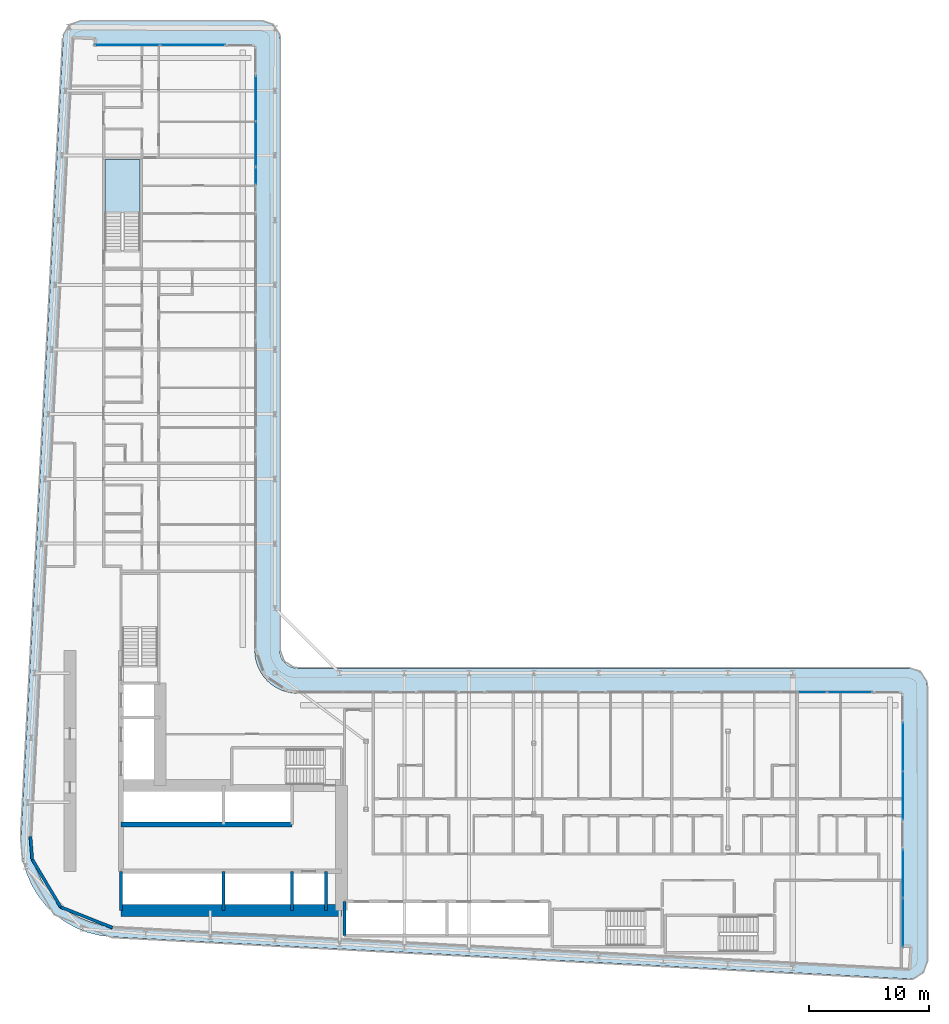
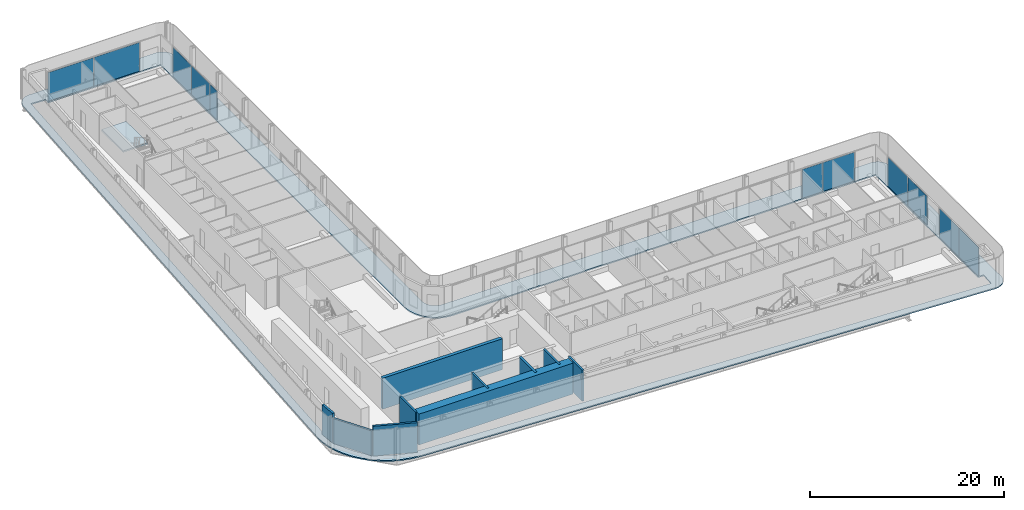
# One storey, part 12 of 28: 11 plates, 10 walls, 2 slabs, 7 elements without a shape of their own.
"""IFC4 building model written with IfcOpenShell, lengths in metres."""

from ifc_helpers import new_model, si_unit, direction, frame, frame_2d, origin, origin_2d, place, context, subcontext, project, spatial, polyline, rectangle, outline, extrude, material, layer, layer_set, type_object, element, aggregate, save


model = new_model("IFC4")

# Units and contexts
model_context = context("Model", 3, precision=1e-05, world=origin(), true_north=direction((0.0, 1.0)))
body_context = subcontext(model_context, "Body", "Model", "MODEL_VIEW")
ifc_project = project(units=[si_unit("LENGTHUNIT", "METRE"), si_unit("AREAUNIT", "SQUARE_METRE"), si_unit("VOLUMEUNIT", "CUBIC_METRE"), si_unit("PLANEANGLEUNIT", "RADIAN"), si_unit("MASSUNIT", "GRAM", prefix="KILO")], contexts=[model_context])

# Site, building, storey
site_placement = place(None, origin())
site = spatial("IfcSite", under=ifc_project, at=site_placement, CompositionType="ELEMENT")
building_placement = place(site_placement, origin())
building = spatial("IfcBuilding", under=site, at=building_placement, Name="Kheshtan School and Residences Tower", CompositionType="ELEMENT")
storey_placement = place(building_placement, frame((0.0, 0.0, 77.300048828125)))
storey = spatial("IfcBuildingStorey", under=building, at=storey_placement, Name="L18", CompositionType="ELEMENT", Elevation=77.300048828125)

# Curtain wall, plates
ifc_material_1 = material(Name="Clear low-e glass in thermally broken aluminium frame", Category="aluminium")
ifc_layer_1 = layer(ifc_material_1, 0.199951171875)
ifc_layer_set_1 = layer_set([ifc_layer_1], Name="Curtain wall CW-L")
curtain_wall_type = type_object("IfcCurtainWallType", Name="Curtain wall CW-L", PredefinedType="NOTDEFINED", material=ifc_layer_set_1)
curtain_wall_1_placement = place(storey_placement, origin())
curtain_wall_1 = element("IfcCurtainWall", 1, at=curtain_wall_1_placement, inside=storey, type_object=curtain_wall_type, Name="Curtain wall CWL7", PredefinedType="NOTDEFINED")
ifc_layer_2 = layer(ifc_material_1, 0.031982421875)
ifc_layer_set_2 = layer_set([ifc_layer_2], Name="CW-L glass panel")
plate_type = type_object("IfcPlateType", Name="CW-L glass panel", PredefinedType="CURTAIN_PANEL", material=ifc_layer_set_2)
plate_1_placement = place(storey_placement, frame((35.259033203125, 98.0, 0.0), z_axis=(0.0, 0.0, 1.0), x_axis=(1.0, 0.0, 0.0)))
plate_1 = element("IfcPlate", 2, at=plate_1_placement, type_object=plate_type, Name="CWL7 panel 1.1", PredefinedType="CURTAIN_PANEL", context=body_context, shape_type="SweptSolid", body=[
    extrude(rectangle(XDim=5.4140625, YDim=0.031982421875, at=origin_2d()), origin(), (0.0, 0.0, 1.0), 3.6298828125),
])
plate_2_placement = place(storey_placement, frame((40.73291015625, 98.0, 0.0), z_axis=(0.0, 0.0, 1.0), x_axis=(1.0, 0.0, 0.0)))
plate_2 = element("IfcPlate", 3, at=plate_2_placement, type_object=plate_type, Name="CWL7 panel 2.1", PredefinedType="CURTAIN_PANEL", context=body_context, shape_type="SweptSolid", body=[
    extrude(rectangle(XDim=5.4140625, YDim=0.031982421875, at=origin_2d()), origin(), (0.0, 0.0, 1.0), 3.6298828125),
])
aggregate(curtain_wall_1, [plate_1, plate_2])

curtain_wall_2_placement = place(storey_placement, origin())
curtain_wall_2 = element("IfcCurtainWall", 4, at=curtain_wall_2_placement, inside=storey, type_object=curtain_wall_type, Name="Curtain wall CWL8", PredefinedType="NOTDEFINED")
plate_3_placement = place(storey_placement, frame((46.0, 93.5615234375, 0.0), z_axis=(0.0, 0.0, 1.0), x_axis=(0.0, -1.0, 0.0)))
plate_3 = element("IfcPlate", 5, at=plate_3_placement, type_object=plate_type, Name="CWL8 panel 1.1", PredefinedType="CURTAIN_PANEL", context=body_context, shape_type="SweptSolid", body=[
    extrude(rectangle(XDim=3.757080078125, YDim=0.031982421875, at=origin_2d()), origin(), (0.0, 0.0, 1.0), 3.6298828125),
])
plate_4_placement = place(storey_placement, frame((46.0, 89.744384765625, 0.0), z_axis=(0.0, 0.0, 1.0), x_axis=(0.0, -1.0, 0.0)))
plate_4 = element("IfcPlate", 6, at=plate_4_placement, type_object=plate_type, Name="CWL8 panel 2.1", PredefinedType="CURTAIN_PANEL", context=body_context, shape_type="SweptSolid", body=[
    extrude(rectangle(XDim=3.757080078125, YDim=0.031982421875, at=origin_2d()), origin(), (0.0, 0.0, 1.0), 3.6298828125),
])
aggregate(curtain_wall_2, [plate_3, plate_4])

# Curtain wall, plate
curtain_wall_3_placement = place(storey_placement, origin())
curtain_wall_3 = element("IfcCurtainWall", 7, at=curtain_wall_3_placement, inside=storey, type_object=curtain_wall_type, Name="Curtain wall CWL8a", PredefinedType="NOTDEFINED")
plate_5_placement = place(storey_placement, frame((46.0, 87.0859375, 0.0), z_axis=(0.0, 0.0, 1.0), x_axis=(0.0, -1.0, 0.0)))
plate_5 = element("IfcPlate", 8, at=plate_5_placement, type_object=plate_type, Name="CWL8a panel 1.1", PredefinedType="CURTAIN_PANEL", context=body_context, shape_type="SweptSolid", body=[
    extrude(rectangle(XDim=1.43994140625, YDim=0.031982421875, at=origin_2d()), origin(), (0.0, 0.0, 1.0), 3.6298828125),
])
aggregate(curtain_wall_3, [plate_5])

# Curtain wall, plates
curtain_wall_4_placement = place(storey_placement, origin())
curtain_wall_4 = element("IfcCurtainWall", 9, at=curtain_wall_4_placement, inside=storey, type_object=curtain_wall_type, Name="Curtain wall CWL12k", PredefinedType="NOTDEFINED")
plate_6_placement = place(storey_placement, frame((92.426513671875, 44.0, 0.0), z_axis=(0.0, 0.0, 1.0), x_axis=(1.0, 0.0, 0.0)))
plate_6 = element("IfcPlate", 10, at=plate_6_placement, type_object=plate_type, Name="CWL12k panel 2.1", PredefinedType="CURTAIN_PANEL", context=body_context, shape_type="SweptSolid", body=[
    extrude(rectangle(XDim=2.39306640625, YDim=0.031982421875, at=origin_2d()), origin(), (0.0, 0.0, 1.0), 3.6298828125),
])
plate_7_placement = place(storey_placement, frame((95.5615234375, 44.0, 0.0), z_axis=(0.0, 0.0, 1.0), x_axis=(1.0, 0.0, 0.0)))
plate_7 = element("IfcPlate", 11, at=plate_7_placement, type_object=plate_type, Name="CWL12k panel 3.1", PredefinedType="CURTAIN_PANEL", context=body_context, shape_type="SweptSolid", body=[
    extrude(rectangle(XDim=3.757080078125, YDim=0.031982421875, at=origin_2d()), origin(), (0.0, 0.0, 1.0), 3.6298828125),
])
aggregate(curtain_wall_4, [plate_6, plate_7])

curtain_wall_5_placement = place(storey_placement, origin())
curtain_wall_5 = element("IfcCurtainWall", 12, at=curtain_wall_5_placement, inside=storey, type_object=curtain_wall_type, Name="Curtain wall CWL13b", PredefinedType="NOTDEFINED")
plate_8_placement = place(storey_placement, frame((100.0, 39.436767578125, 0.0), z_axis=(0.0, 0.0, 1.0), x_axis=(0.0, -1.0, 0.0)))
plate_8 = element("IfcPlate", 13, at=plate_8_placement, type_object=plate_type, Name="CWL13b panel 1.1", PredefinedType="CURTAIN_PANEL", context=body_context, shape_type="SweptSolid", body=[
    extrude(rectangle(XDim=4.006591796875, YDim=0.031982421875, at=origin_2d()), origin(), (0.0, 0.0, 1.0), 3.6298828125),
])
plate_9_placement = place(storey_placement, frame((100.0, 35.370361328125, 0.0), z_axis=(0.0, 0.0, 1.0), x_axis=(0.0, -1.0, 0.0)))
plate_9 = element("IfcPlate", 14, at=plate_9_placement, type_object=plate_type, Name="CWL13b panel 2.1", PredefinedType="CURTAIN_PANEL", context=body_context, shape_type="SweptSolid", body=[
    extrude(rectangle(XDim=4.006591796875, YDim=0.031982421875, at=origin_2d()), origin(), (0.0, 0.0, 1.0), 3.6298828125),
])
aggregate(curtain_wall_5, [plate_8, plate_9])

curtain_wall_6_placement = place(storey_placement, origin())
curtain_wall_6 = element("IfcCurtainWall", 15, at=curtain_wall_6_placement, inside=storey, type_object=curtain_wall_type, Name="Curtain wall CWL13b", PredefinedType="NOTDEFINED")
plate_10_placement = place(storey_placement, frame((100.0, 28.84375, 0.0), z_axis=(0.0, 0.0, 1.0), x_axis=(0.0, -1.0, 0.0)))
plate_10 = element("IfcPlate", 16, at=plate_10_placement, type_object=plate_type, Name="CWL13b panel 1.1", PredefinedType="CURTAIN_PANEL", context=body_context, shape_type="SweptSolid", body=[
    extrude(rectangle(XDim=4.006591796875, YDim=0.031982421875, at=origin_2d()), origin(), (0.0, 0.0, 1.0), 3.6298828125),
])
plate_11_placement = place(storey_placement, frame((100.0, 24.77734375, 0.0), z_axis=(0.0, 0.0, 1.0), x_axis=(0.0, -1.0, 0.0)))
plate_11 = element("IfcPlate", 17, at=plate_11_placement, type_object=plate_type, Name="CWL13b panel 2.1", PredefinedType="CURTAIN_PANEL", context=body_context, shape_type="SweptSolid", body=[
    extrude(rectangle(XDim=4.006591796875, YDim=0.031982421875, at=origin_2d()), origin(), (0.0, 0.0, 1.0), 3.6298828125),
])
aggregate(curtain_wall_6, [plate_10, plate_11])

# Slab
ifc_material_2 = material(Name="Concrete C40/50", Category="concrete")
ifc_layer_3 = layer(ifc_material_2, 0.14990234375)
ifc_layer_set_3 = layer_set([ifc_layer_3], Name="Loggia balcony slab 150 Concrete C40/50")
slab_type_1 = type_object("IfcSlabType", Name="Loggia balcony slab 150 Concrete C40/50", PredefinedType="FLOOR", material=ifc_layer_set_3)
slab_1_placement = place(storey_placement, frame((0.0, 0.0, -0.150146484375)))
element("IfcSlab", 18, at=slab_1_placement, inside=storey, type_object=slab_type_1, Name="Loggia balcony slab L18", PredefinedType="FLOOR", context=body_context, shape_type="SweptSolid", body=[
    extrude(outline(polyline([(28.4580078125, 26.222900390625), (28.45703125, 26.222900390625), (28.45703125, 26.22412109375), (28.4560546875, 26.22412109375), (27.81494140625, 27.0390625), (27.281005859375, 27.93798828125), (26.867919921875, 28.89990234375), (26.583984375, 29.89990234375), (26.583984375, 29.906982421875), (26.43408203125, 30.943115234375), (26.419921875, 31.989013671875), (29.925048828125, 98.5791015625), (29.930908203125, 98.626953125), (29.930908203125, 98.6279296875), (29.929931640625, 98.6279296875), (29.929931640625, 98.62890625), (29.928955078125, 98.62890625), (29.928955078125, 98.6298828125), (29.927978515625, 98.6298828125), (29.927978515625, 98.631103515625), (29.927001953125, 98.631103515625), (29.927001953125, 98.632080078125), (29.927001953125, 98.633056640625), (29.945068359375, 98.781005859375), (29.945068359375, 98.783935546875), (29.945068359375, 98.784912109375), (29.946044921875, 98.784912109375), (29.946044921875, 98.785888671875), (29.947021484375, 98.785888671875), (29.947021484375, 98.787109375), (29.947998046875, 98.787109375), (29.948974609375, 98.787109375), (29.948974609375, 98.7880859375), (29.949951171875, 98.7880859375), (29.949951171875, 98.7890625), (29.949951171875, 98.791015625), (30.0029296875, 98.98388671875), (30.083984375, 99.175048828125), (30.18896484375, 99.35302734375), (30.31103515625, 99.507080078125), (30.31201171875, 99.507080078125), (30.31201171875, 99.508056640625), (30.31298828125, 99.508056640625), (30.31298828125, 99.509033203125), (30.31396484375, 99.509033203125), (30.31396484375, 99.510009765625), (30.31494140625, 99.510009765625), (30.31494140625, 99.510986328125), (30.31591796875, 99.510986328125), (30.31591796875, 99.511962890625), (30.31689453125, 99.511962890625), (30.31689453125, 99.512939453125), (30.318115234375, 99.512939453125), (30.320068359375, 99.512939453125), (30.321044921875, 99.512939453125), (30.321044921875, 99.513916015625), (30.468017578125, 99.656982421875), (30.468994140625, 99.656982421875), (30.468994140625, 99.657958984375), (30.469970703125, 99.657958984375), (30.469970703125, 99.658935546875), (30.470947265625, 99.658935546875), (30.470947265625, 99.659912109375), (30.471923828125, 99.659912109375), (30.471923828125, 99.660888671875), (30.472900390625, 99.660888671875), (30.472900390625, 99.662109375), (30.47412109375, 99.662109375), (30.47412109375, 99.6630859375), (30.47509765625, 99.6630859375), (30.47509765625, 99.6640625), (30.635986328125, 99.777099609375), (30.820068359375, 99.873046875), (31.007080078125, 99.943115234375), (31.013916015625, 99.943115234375), (31.217041015625, 99.986083984375), (31.423095703125, 100.0), (46.5, 100.0), (46.696044921875, 99.987060546875), (46.887939453125, 99.948974609375), (46.89501953125, 99.948974609375), (47.073974609375, 99.885986328125), (47.243896484375, 99.801025390625), (47.2451171875, 99.801025390625), (47.2470703125, 99.801025390625), (47.248046875, 99.801025390625), (47.248046875, 99.802001953125), (47.2490234375, 99.802001953125), (47.2490234375, 99.802978515625), (47.25, 99.802978515625), (47.2529296875, 99.802978515625), (47.25390625, 99.802978515625), (47.25390625, 99.802001953125), (47.2548828125, 99.802001953125), (47.2548828125, 99.801025390625), (47.256103515625, 99.801025390625), (47.256103515625, 99.800048828125), (47.257080078125, 99.800048828125), (47.257080078125, 99.799072265625), (47.258056640625, 99.799072265625), (47.258056640625, 99.798095703125), (47.412109375, 99.696044921875), (47.4130859375, 99.696044921875), (47.4130859375, 99.695068359375), (47.4140625, 99.695068359375), (47.4140625, 99.694091796875), (47.4140625, 99.68994140625), (47.4140625, 99.68896484375), (47.4150390625, 99.68896484375), (47.4150390625, 99.68798828125), (47.416015625, 99.68798828125), (47.416015625, 99.68701171875), (47.4169921875, 99.68701171875), (47.4169921875, 99.68603515625), (47.554931640625, 99.568115234375), (47.554931640625, 99.56689453125), (47.555908203125, 99.56689453125), (47.555908203125, 99.56591796875), (47.556884765625, 99.56591796875), (47.556884765625, 99.56494140625), (47.55810546875, 99.56494140625), (47.55810546875, 99.56396484375), (47.55908203125, 99.56396484375), (47.55908203125, 99.56298828125), (47.56005859375, 99.56298828125), (47.56005859375, 99.56201171875), (47.56103515625, 99.56201171875), (47.56201171875, 99.56103515625), (47.56201171875, 99.56005859375), (47.56298828125, 99.56005859375), (47.56298828125, 99.55908203125), (47.56396484375, 99.55908203125), (47.56396484375, 99.55810546875), (47.56494140625, 99.55810546875), (47.56494140625, 99.556884765625), (47.56591796875, 99.556884765625), (47.56591796875, 99.555908203125), (47.56689453125, 99.555908203125), (47.56689453125, 99.554931640625), (47.568115234375, 99.554931640625), (47.68505859375, 99.41796875), (47.68603515625, 99.41796875), (47.68603515625, 99.4169921875), (47.68701171875, 99.4169921875), (47.68701171875, 99.416015625), (47.68798828125, 99.416015625), (47.68798828125, 99.4150390625), (47.68896484375, 99.4150390625), (47.68896484375, 99.4140625), (47.68994140625, 99.4140625), (47.694091796875, 99.4140625), (47.695068359375, 99.4140625), (47.695068359375, 99.4130859375), (47.696044921875, 99.4130859375), (47.696044921875, 99.412109375), (47.797119140625, 99.259033203125), (47.798095703125, 99.259033203125), (47.798095703125, 99.258056640625), (47.799072265625, 99.258056640625), (47.799072265625, 99.257080078125), (47.800048828125, 99.257080078125), (47.800048828125, 99.256103515625), (47.801025390625, 99.256103515625), (47.801025390625, 99.2548828125), (47.802001953125, 99.2548828125), (47.802001953125, 99.25390625), (47.802978515625, 99.25390625), (47.802978515625, 99.2529296875), (47.802978515625, 99.25), (47.802978515625, 99.2490234375), (47.802001953125, 99.2490234375), (47.802001953125, 99.248046875), (47.801025390625, 99.248046875), (47.801025390625, 99.2470703125), (47.801025390625, 99.243896484375), (47.801025390625, 99.242919921875), (47.885986328125, 99.073974609375), (47.948974609375, 98.89501953125), (47.948974609375, 98.887939453125), (47.987060546875, 98.696044921875), (48.0, 98.5), (48.0, 47.5), (48.012939453125, 47.303955078125), (48.051025390625, 47.113037109375), (48.051025390625, 47.10693359375), (48.051025390625, 47.10595703125), (48.114013671875, 46.926025390625), (48.200927734375, 46.75), (48.31005859375, 46.5869140625), (48.431884765625, 46.444091796875), (48.43310546875, 46.444091796875), (48.43310546875, 46.443115234375), (48.43408203125, 46.443115234375), (48.43408203125, 46.44189453125), (48.43505859375, 46.44189453125), (48.43505859375, 46.44091796875), (48.43603515625, 46.44091796875), (48.43603515625, 46.43994140625), (48.43701171875, 46.43994140625), (48.43701171875, 46.43896484375), (48.43798828125, 46.43896484375), (48.43896484375, 46.43798828125), (48.43896484375, 46.43701171875), (48.43994140625, 46.43701171875), (48.43994140625, 46.43603515625), (48.44091796875, 46.43603515625), (48.44091796875, 46.43505859375), (48.44189453125, 46.43505859375), (48.44189453125, 46.43408203125), (48.443115234375, 46.43408203125), (48.443115234375, 46.43310546875), (48.444091796875, 46.43310546875), (48.444091796875, 46.431884765625), (48.5869140625, 46.31005859375), (48.75, 46.200927734375), (48.926025390625, 46.114013671875), (49.10595703125, 46.051025390625), (49.10693359375, 46.051025390625), (49.113037109375, 46.051025390625), (49.303955078125, 46.012939453125), (49.5, 46.0), (100.5, 46.0), (100.696044921875, 45.987060546875), (100.887939453125, 45.948974609375), (100.89501953125, 45.948974609375), (101.073974609375, 45.885986328125), (101.241943359375, 45.801025390625), (101.242919921875, 45.801025390625), (101.2470703125, 45.801025390625), (101.248046875, 45.801025390625), (101.248046875, 45.802001953125), (101.2490234375, 45.802001953125), (101.2490234375, 45.802978515625), (101.25, 45.802978515625), (101.2529296875, 45.802978515625), (101.25390625, 45.802978515625), (101.25390625, 45.802001953125), (101.2548828125, 45.802001953125), (101.2548828125, 45.801025390625), (101.256103515625, 45.801025390625), (101.256103515625, 45.800048828125), (101.257080078125, 45.800048828125), (101.257080078125, 45.799072265625), (101.258056640625, 45.799072265625), (101.258056640625, 45.798095703125), (101.259033203125, 45.798095703125), (101.259033203125, 45.797119140625), (101.260009765625, 45.797119140625), (101.260009765625, 45.7958984375), (101.412109375, 45.696044921875), (101.4130859375, 45.696044921875), (101.4130859375, 45.695068359375), (101.4140625, 45.695068359375), (101.4140625, 45.694091796875), (101.4140625, 45.68994140625), (101.4140625, 45.68896484375), (101.4150390625, 45.68896484375), (101.4150390625, 45.68798828125), (101.416015625, 45.68798828125), (101.416015625, 45.68701171875), (101.4169921875, 45.68701171875), (101.4169921875, 45.68603515625), (101.41796875, 45.68603515625), (101.41796875, 45.68505859375), (101.4189453125, 45.68505859375), (101.4189453125, 45.68408203125), (101.554931640625, 45.568115234375), (101.554931640625, 45.56689453125), (101.555908203125, 45.56689453125), (101.555908203125, 45.56591796875), (101.556884765625, 45.56591796875), (101.556884765625, 45.56494140625), (101.55810546875, 45.56494140625), (101.55810546875, 45.56396484375), (101.55908203125, 45.56396484375), (101.55908203125, 45.56298828125), (101.56005859375, 45.56298828125), (101.56005859375, 45.56201171875), (101.56103515625, 45.56201171875), (101.56201171875, 45.56103515625), (101.56201171875, 45.56005859375), (101.56298828125, 45.56005859375), (101.56298828125, 45.55908203125), (101.56396484375, 45.55908203125), (101.56396484375, 45.55810546875), (101.56494140625, 45.55810546875), (101.56494140625, 45.556884765625), (101.56591796875, 45.556884765625), (101.56591796875, 45.555908203125), (101.56689453125, 45.555908203125), (101.56689453125, 45.554931640625), (101.568115234375, 45.554931640625), (101.681884765625, 45.4208984375), (101.68310546875, 45.4208984375), (101.68310546875, 45.419921875), (101.68408203125, 45.419921875), (101.68408203125, 45.4189453125), (101.68505859375, 45.4189453125), (101.68505859375, 45.41796875), (101.68603515625, 45.41796875), (101.68603515625, 45.4169921875), (101.68701171875, 45.4169921875), (101.68701171875, 45.416015625), (101.68798828125, 45.416015625), (101.68798828125, 45.4150390625), (101.68896484375, 45.4150390625), (101.68896484375, 45.4140625), (101.68994140625, 45.4140625), (101.694091796875, 45.4140625), (101.695068359375, 45.4140625), (101.695068359375, 45.4130859375), (101.696044921875, 45.4130859375), (101.696044921875, 45.412109375), (101.7939453125, 45.261962890625), (101.794921875, 45.261962890625), (101.794921875, 45.260986328125), (101.7958984375, 45.260986328125), (101.7958984375, 45.260009765625), (101.797119140625, 45.260009765625), (101.797119140625, 45.259033203125), (101.798095703125, 45.259033203125), (101.798095703125, 45.258056640625), (101.799072265625, 45.258056640625), (101.799072265625, 45.257080078125), (101.800048828125, 45.257080078125), (101.800048828125, 45.256103515625), (101.801025390625, 45.256103515625), (101.801025390625, 45.2548828125), (101.802001953125, 45.2548828125), (101.802001953125, 45.25390625), (101.802978515625, 45.25390625), (101.802978515625, 45.2529296875), (101.802978515625, 45.25), (101.802978515625, 45.2490234375), (101.802001953125, 45.2490234375), (101.802001953125, 45.248046875), (101.801025390625, 45.248046875), (101.801025390625, 45.2470703125), (101.801025390625, 45.240966796875), (101.801025390625, 45.239990234375), (101.885986328125, 45.073974609375), (101.948974609375, 44.89501953125), (101.948974609375, 44.887939453125), (101.987060546875, 44.696044921875), (102.0, 44.5), (102.0, 21.5810546875), (101.986083984375, 21.37890625), (101.945068359375, 21.179931640625), (101.945068359375, 21.173095703125), (101.8779296875, 20.989013671875), (101.785888671875, 20.80810546875), (101.6708984375, 20.64306640625), (101.6708984375, 20.64208984375), (101.6708984375, 20.64111328125), (101.6708984375, 20.639892578125), (101.672119140625, 20.639892578125), (101.672119140625, 20.638916015625), (101.672119140625, 20.636962890625), (101.672119140625, 20.635986328125), (101.6708984375, 20.635986328125), (101.6708984375, 20.635009765625), (101.5380859375, 20.491943359375), (101.534912109375, 20.489013671875), (101.533935546875, 20.489013671875), (101.533935546875, 20.488037109375), (101.532958984375, 20.488037109375), (101.531005859375, 20.488037109375), (101.530029296875, 20.488037109375), (101.530029296875, 20.489013671875), (101.529052734375, 20.489013671875), (101.528076171875, 20.489013671875), (101.527099609375, 20.489013671875), (101.3759765625, 20.364013671875), (101.2041015625, 20.256103515625), (101.01904296875, 20.174072265625), (100.8310546875, 20.116943359375), (100.823974609375, 20.116943359375), (100.6240234375, 20.0859375), (100.4208984375, 20.0830078125), (33.989013671875, 23.580078125), (33.94189453125, 23.5859375), (33.94091796875, 23.5859375), (33.93994140625, 23.5859375), (33.93994140625, 23.5849609375), (33.93896484375, 23.5849609375), (33.93896484375, 23.583984375), (33.93798828125, 23.583984375), (33.93798828125, 23.5830078125), (33.93701171875, 23.5830078125), (33.93701171875, 23.58203125), (33.93603515625, 23.58203125), (33.93505859375, 23.58203125), (32.952880859375, 23.697998046875), (32.949951171875, 23.697998046875), (32.948974609375, 23.697998046875), (32.948974609375, 23.698974609375), (32.947998046875, 23.698974609375), (32.947998046875, 23.699951171875), (32.947021484375, 23.699951171875), (32.947021484375, 23.700927734375), (32.947021484375, 23.702880859375), (32.947021484375, 23.7041015625), (32.946044921875, 23.7041015625), (32.946044921875, 23.705078125), (32.945068359375, 23.705078125), (32.944091796875, 23.705078125), (31.93603515625, 23.9609375), (31.928955078125, 23.9609375), (30.964111328125, 24.34912109375), (30.051025390625, 24.860107421875), (29.218994140625, 25.47900390625), (29.218994140625, 25.47998046875), (29.218017578125, 25.47998046875), (29.218017578125, 25.48095703125), (29.217041015625, 25.48095703125), (29.217041015625, 25.48193359375), (29.216064453125, 25.48193359375), (29.216064453125, 25.48291015625), (29.215087890625, 25.48291015625), (29.215087890625, 25.48388671875), (29.214111328125, 25.48388671875), (29.214111328125, 25.485107421875), (29.212890625, 25.485107421875), (29.212890625, 25.486083984375), (29.2119140625, 25.486083984375), (28.466064453125, 26.217041015625), (28.466064453125, 26.218017578125), (28.465087890625, 26.218017578125), (28.462890625, 26.218017578125), (28.4619140625, 26.218017578125), (28.4619140625, 26.218994140625), (28.4609375, 26.218994140625), (28.4609375, 26.219970703125), (28.4599609375, 26.219970703125), (28.4599609375, 26.220947265625), (28.458984375, 26.220947265625), (28.458984375, 26.221923828125), (28.4580078125, 26.221923828125), (28.4580078125, 26.222900390625)]), holes=[polyline([(29.12890625, 26.824951171875), (29.12890625, 26.823974609375), (29.1298828125, 26.823974609375), (29.1298828125, 26.822998046875), (29.131103515625, 26.822998046875), (29.131103515625, 26.822021484375), (29.132080078125, 26.822021484375), (29.132080078125, 26.821044921875), (29.133056640625, 26.821044921875), (29.133056640625, 26.820068359375), (29.134033203125, 26.820068359375), (29.7958984375, 26.173095703125), (29.7958984375, 26.172119140625), (29.797119140625, 26.172119140625), (29.798095703125, 26.172119140625), (29.799072265625, 26.172119140625), (29.799072265625, 26.1708984375), (29.800048828125, 26.1708984375), (29.800048828125, 26.169921875), (29.801025390625, 26.169921875), (29.801025390625, 26.1689453125), (29.802001953125, 26.1689453125), (29.802001953125, 26.16796875), (29.802978515625, 26.16796875), (29.802978515625, 26.1669921875), (29.803955078125, 26.1669921875), (29.803955078125, 26.166015625), (30.541015625, 25.616943359375), (31.35205078125, 25.1630859375), (32.208984375, 24.819091796875), (32.2099609375, 24.819091796875), (32.216064453125, 24.819091796875), (33.114990234375, 24.590087890625), (34.06591796875, 24.47705078125), (100.43798828125, 20.98291015625), (100.465087890625, 20.98388671875), (100.466064453125, 20.98388671875), (100.467041015625, 20.98388671875), (100.467041015625, 20.985107421875), (100.468017578125, 20.985107421875), (100.468017578125, 20.986083984375), (100.468017578125, 20.987060546875), (100.55810546875, 22.676025390625), (100.55810546875, 22.677001953125), (100.55810546875, 22.677978515625), (100.556884765625, 22.677978515625), (100.556884765625, 22.678955078125), (100.555908203125, 22.678955078125), (100.554931640625, 22.678955078125), (99.90087890625, 22.714111328125), (99.89990234375, 22.714111328125), (99.89990234375, 22.715087890625), (99.89990234375, 43.89794921875), (99.89990234375, 43.89892578125), (99.89892578125, 43.89892578125), (99.89892578125, 43.89990234375), (99.89794921875, 43.89990234375), (49.429931640625, 43.89990234375), (49.030029296875, 43.927001953125), (48.569091796875, 44.01806640625), (48.56201171875, 44.01806640625), (48.1201171875, 44.169921875), (47.697021484375, 44.37890625), (47.30810546875, 44.638916015625), (46.95703125, 44.944091796875), (46.95703125, 44.945068359375), (46.9560546875, 44.945068359375), (46.9560546875, 44.946044921875), (46.955078125, 44.946044921875), (46.955078125, 44.947021484375), (46.9541015625, 44.947021484375), (46.9541015625, 44.947998046875), (46.952880859375, 44.947998046875), (46.952880859375, 44.948974609375), (46.951904296875, 44.948974609375), (46.951904296875, 44.949951171875), (46.951904296875, 44.950927734375), (46.950927734375, 44.950927734375), (46.950927734375, 44.951904296875), (46.949951171875, 44.951904296875), (46.948974609375, 44.951904296875), (46.948974609375, 44.952880859375), (46.947998046875, 44.952880859375), (46.947998046875, 44.9541015625), (46.947021484375, 44.9541015625), (46.947021484375, 44.955078125), (46.946044921875, 44.955078125), (46.946044921875, 44.9560546875), (46.945068359375, 44.9560546875), (46.945068359375, 44.95703125), (46.944091796875, 44.95703125), (46.638916015625, 45.30810546875), (46.37890625, 45.697021484375), (46.169921875, 46.1201171875), (46.01806640625, 46.56201171875), (46.01806640625, 46.569091796875), (45.927001953125, 47.030029296875), (45.89990234375, 47.429931640625), (45.89990234375, 97.89794921875), (45.89990234375, 97.89892578125), (45.89892578125, 97.89892578125), (45.89892578125, 97.89990234375), (45.89794921875, 97.89990234375), (32.492919921875, 97.89990234375), (32.491943359375, 97.89990234375), (32.52099609375, 98.43896484375), (32.52099609375, 98.43994140625), (32.52099609375, 98.44091796875), (32.52001953125, 98.44091796875), (32.52001953125, 98.44189453125), (32.51904296875, 98.44189453125), (32.51806640625, 98.44189453125), (30.8291015625, 98.531982421875), (30.827880859375, 98.531982421875), (30.826904296875, 98.531982421875), (30.826904296875, 98.531005859375), (30.825927734375, 98.531005859375), (30.825927734375, 98.530029296875), (30.825927734375, 98.529052734375), (30.822021484375, 98.5009765625), (27.320068359375, 31.970947265625), (27.3330078125, 31.013916015625), (27.466064453125, 30.093994140625), (27.466064453125, 30.087890625), (27.466064453125, 30.0869140625), (27.718017578125, 29.200927734375), (28.0849609375, 28.345947265625), (28.55908203125, 27.550048828125), (29.126953125, 26.825927734375), (29.1279296875, 26.825927734375), (29.1279296875, 26.824951171875), (29.12890625, 26.824951171875)])]), origin(), (0.0, 0.0, 1.0), 0.150146484375),
])

# Stair, slab
stair_type = type_object("IfcStairType", Name="Exit stair, half-turn", PredefinedType="HALF_TURN_STAIR", material=ifc_material_2)
stair_placement = place(storey_placement, origin())
stair = element("IfcStair", 19, at=stair_placement, inside=storey, type_object=stair_type, Name="L18 Protected Exit Stair ST3", PredefinedType="HALF_TURN_STAIR")
ifc_layer_4 = layer(ifc_material_2, 0.199951171875)
ifc_layer_set_4 = layer_set([ifc_layer_4], Name="Stair landing 200 Concrete C40/50")
slab_type_2 = type_object("IfcSlabType", Name="Stair landing 200 Concrete C40/50", PredefinedType="LANDING", material=ifc_layer_set_4)
slab_2_placement = place(storey_placement, frame((0.0, 0.0, 1.75)))
slab_2 = element("IfcSlab", 20, at=slab_2_placement, type_object=slab_type_2, Name="ST3 landing 1", PredefinedType="LANDING", context=body_context, shape_type="SweptSolid", body=[
    extrude(outline(polyline([(36.35009765625, 83.97998046875), (36.35009765625, 88.4599609375), (33.39990234375, 88.4599609375), (33.39990234375, 83.97998046875), (36.35009765625, 83.97998046875)])), origin(), (0.0, 0.0, 1.0), 0.199951171875),
])
aggregate(stair, [slab_2])

# Walls
ifc_material_3 = material(Name="Concrete C80/95", Category="concrete")
ifc_layer_5 = layer(ifc_material_3, 1.0)
ifc_layer_set_5 = layer_set([ifc_layer_5], Name="Core wall 1000 Concrete C80/95")
wall_type_1 = type_object("IfcWallType", Name="Core wall 1000 Concrete C80/95", PredefinedType="SHEAR", material=ifc_layer_set_5)
wall_1_placement = place(storey_placement, frame((34.75, 25.800048828125, 0.0), z_axis=(0.0, 0.0, 1.0), x_axis=(1.0, 0.0, 0.0)))
element("IfcWall", 21, at=wall_1_placement, inside=storey, type_object=wall_type_1, Name="Core wall CW-REAR-S", PredefinedType="SHEAR", context=body_context, shape_type="SweptSolid", body=[
    extrude(rectangle(XDim=18.39990234375, YDim=1.0, at=frame_2d((9.199951171875, 0.0))), origin(), (0.0, 0.0, 1.0), 3.89990234375),
])
ifc_material_4 = material(Name="Concrete C50/60", Category="concrete")
ifc_layer_6 = layer(ifc_material_4, 0.39990234375)
ifc_layer_set_6 = layer_set([ifc_layer_6], Name="Core wall 400 Concrete C50/60")
wall_type_2 = type_object("IfcWallType", Name="Core wall 400 Concrete C50/60", PredefinedType="SHEAR", material=ifc_layer_set_6)
wall_2_placement = place(storey_placement, frame((34.75, 32.949951171875, 0.0), z_axis=(0.0, 0.0, 1.0), x_axis=(1.0, 0.0, 0.0)))
element("IfcWall", 22, at=wall_2_placement, inside=storey, type_object=wall_type_2, Name="Core wall CW-HALL-S2", PredefinedType="SHEAR", context=body_context, shape_type="SweptSolid", body=[
    extrude(rectangle(XDim=14.25, YDim=0.39990234375, at=frame_2d((7.125, 0.0))), origin(), (0.0, 0.0, 1.0), 3.89990234375),
])
ifc_material_5 = material(Name="Concrete C40/50 with ceramic cladding and mineral wool insulation", Category="concrete")
ifc_layer_7 = layer(ifc_material_5, 0.25)
ifc_layer_set_7 = layer_set([ifc_layer_7], Name="External wall 250 ceramic clad")
wall_type_3 = type_object("IfcWallType", Name="External wall 250 ceramic clad", PredefinedType="SOLIDWALL", material=ifc_layer_set_7)
wall_3_placement = place(storey_placement, frame((34.0390625, 24.35302734375, 0.0), z_axis=(0.0, 0.0, 1.0), x_axis=(-0.929352825399, 0.369192803184, 0.0)))
element("IfcWall", 23, at=wall_3_placement, inside=storey, type_object=wall_type_3, Name="External wall L18 1", PredefinedType="SOLIDWALL", context=body_context, shape_type="SweptSolid", body=[
    extrude(rectangle(XDim=4.656005859375, YDim=0.25, at=frame_2d((2.328125, 0.0))), origin(), (0.0, 0.0, 1.0), 3.75),
])
wall_4_placement = place(storey_placement, frame((29.7119140625, 26.072021484375, 0.0), z_axis=(0.0, 0.0, 1.0), x_axis=(-0.511028049012, 0.859564036662, 0.0)))
element("IfcWall", 24, at=wall_4_placement, inside=storey, type_object=wall_type_3, Name="External wall L18 2", PredefinedType="SOLIDWALL", context=body_context, shape_type="SweptSolid", body=[
    extrude(rectangle(XDim=4.633544921875, YDim=0.25, at=frame_2d((2.31689453125, 0.0))), origin(), (0.0, 0.0, 1.0), 3.133056640625),
])
wall_5_placement = place(storey_placement, frame((27.343994140625, 30.054931640625, 0.0), z_axis=(0.0, 0.0, 1.0), x_axis=(-0.077571675317, 0.99698677784, 0.0)))
element("IfcWall", 25, at=wall_5_placement, inside=storey, type_object=wall_type_3, Name="External wall L18 3", PredefinedType="SOLIDWALL", context=body_context, shape_type="SweptSolid", body=[
    extrude(rectangle(XDim=1.919921875, YDim=0.25, at=frame_2d((0.9599609375, 0.0))), origin(), (0.0, 0.0, 1.0), 3.75),
])
ifc_material_6 = material(Name="Fire-board shaft wall system")
ifc_layer_8 = layer(ifc_material_6, 0.25)
ifc_layer_set_8 = layer_set([ifc_layer_8], Name="Shaft lining wall 250")
wall_type_4 = type_object("IfcWallType", Name="Shaft lining wall 250", PredefinedType="PARTITIONING", material=ifc_layer_set_8)
for number, where, z_axis, x_axis, name in (
    (26, (34.75, 25.800048828125, 0.0), (0.0, 0.0, 1.0), (0.0, 1.0, 0.0), "Shaft lining wall"),
    (27, (43.300048828125, 25.800048828125, 0.0), (0.0, 0.0, 1.0), (0.0, 1.0, 0.0), "Shaft lining wall"),
    (28, (49.0, 25.800048828125, 0.0), (0.0, 0.0, 1.0), (0.0, 1.0, 0.0), "Shaft lining wall"),
    (29, (51.85009765625, 25.800048828125, 0.0), (0.0, 0.0, 1.0), (0.0, 1.0, 0.0), "Shaft lining wall"),
):
    element("IfcWall", number, at=place(storey_placement, frame(where, z_axis=z_axis, x_axis=x_axis)), inside=storey, type_object=wall_type_4, Name=name, PredefinedType="PARTITIONING", context=body_context, shape_type="SweptSolid", body=[
        extrude(rectangle(XDim=3.25, YDim=0.25, at=frame_2d((1.625, 0.0))), origin(), (0.0, 0.0, 1.0), 3.89990234375),
    ])
wall_6_placement = place(storey_placement, frame((53.39990234375, 23.699951171875, 0.0), z_axis=(0.0, 0.0, 1.0), x_axis=(0.0, 1.0, 0.0)))
element("IfcWall", 30, at=wall_6_placement, inside=storey, type_object=wall_type_4, Name="Shaft lining wall", PredefinedType="PARTITIONING", context=body_context, shape_type="SweptSolid", body=[
    extrude(rectangle(XDim=2.85009765625, YDim=0.25, at=frame_2d((1.425048828125, 0.0))), origin(), (0.0, 0.0, 1.0), 3.89990234375),
])

save(model, "model.ifc")
